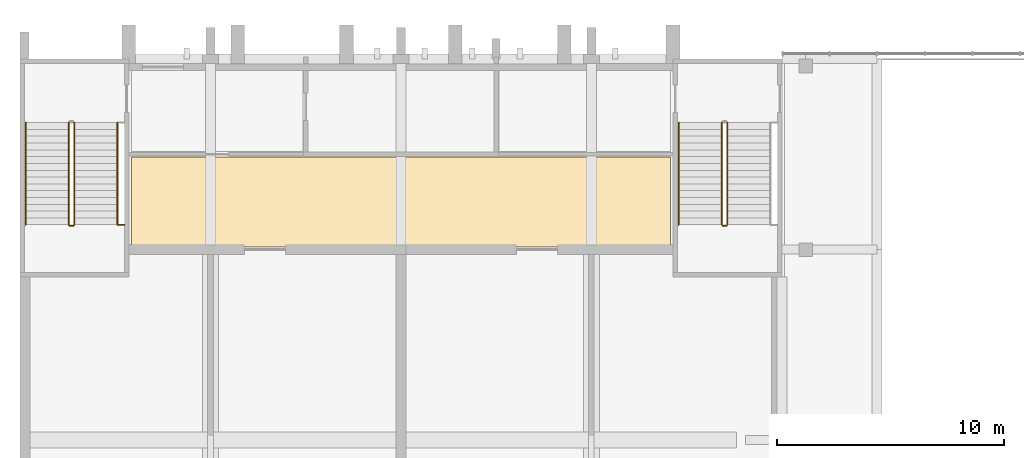
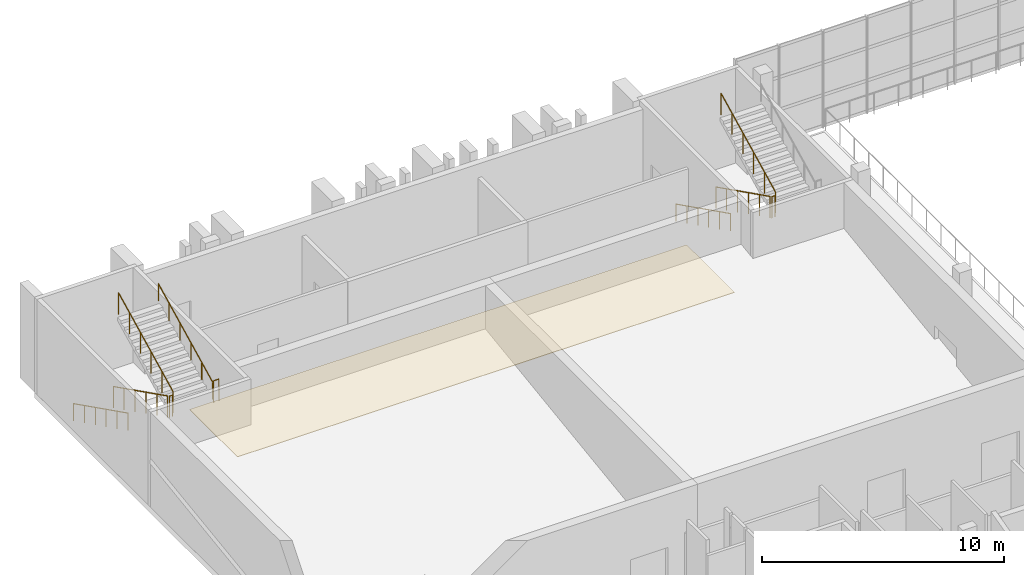
# One storey, part 63 of 67: 10 railings, 1 covering.
"""IFC4 building model written with IfcOpenShell, lengths in metres."""

from ifc_helpers import new_model, si_unit, direction, frame, origin, origin_2d, place, context, subcontext, project, spatial, polyline, circle, outline, extrude, material, layer, layer_set, type_object, element, save


model = new_model("IFC4")

# Units and contexts
model_context = context("Model", 3, precision=1e-05, world=origin(), true_north=direction((0.0, 1.0)))
body_context = subcontext(model_context, "Body", "Model", "MODEL_VIEW")
ifc_project = project(units=[si_unit("LENGTHUNIT", "METRE"), si_unit("AREAUNIT", "SQUARE_METRE"), si_unit("VOLUMEUNIT", "CUBIC_METRE"), si_unit("PLANEANGLEUNIT", "RADIAN"), si_unit("MASSUNIT", "GRAM", prefix="KILO")], contexts=[model_context])

# Site, building, storey
site_placement = place(None, origin())
site = spatial("IfcSite", under=ifc_project, at=site_placement, CompositionType="ELEMENT")
building_placement = place(site_placement, origin())
building = spatial("IfcBuilding", under=site, at=building_placement, Name="Kiln Court Media Centre", CompositionType="ELEMENT")
storey_placement = place(building_placement, frame((0.0, 0.0, 19.800048828125)))
storey = spatial("IfcBuildingStorey", under=building, at=storey_placement, Name="L04", CompositionType="ELEMENT", Elevation=19.800048828125)

# Covering
ifc_material_1 = material(Name="Terrazzo")
ifc_layer = layer(ifc_material_1, 0.02490234375)
ifc_layer_set = layer_set([ifc_layer], Name="Polished terrazzo floor finish 25")
covering_type = type_object("IfcCoveringType", Name="Polished terrazzo floor finish 25", PredefinedType="FLOORING", material=ifc_layer_set)
covering_placement = place(storey_placement, origin())
element("IfcCovering", 1, at=covering_placement, inside=storey, type_object=covering_type, Name="Rear Exit Lobby floor finish", PredefinedType="FLOORING", context=body_context, shape_type="SweptSolid", body=[
    extrude(outline(polyline([(4.919921875, 58.919921875), (28.679931640625, 58.919921875), (28.679931640625, 62.8798828125), (4.919921875, 62.8798828125), (4.919921875, 58.919921875)])), origin(), (0.0, 0.0, 1.0), 0.02490234375),
])

# Railings
ifc_material_2 = material(Name="Steel S275", Category="steel")
railing_type_1 = type_object("IfcRailingType", Name="Steel S275 stair guard 1100", PredefinedType="GUARDRAIL", material=ifc_material_2)
railing_1_placement = place(storey_placement, frame((2.14990234375, 64.39990234375, 0.14990234375)))
element("IfcRailing", 2, at=railing_1_placement, inside=storey, type_object=railing_type_1, Name="ST-07 stair guard", PredefinedType="GUARDRAIL", context=body_context, shape_type="SweptSolid", body=[
    extrude(circle(Radius=0.02392578125, at=origin_2d()), frame((0.0, 0.0, 1.076171875), z_axis=(0.0, -0.894427191, 0.4472135955), x_axis=(1.0, 0.0, 0.0)), (0.0, 0.0, 1.0), 5.03125),
    extrude(circle(Radius=0.02099609375, at=origin_2d()), origin(), (0.0, 0.0, 1.0), 1.052001953125),
    extrude(circle(Radius=0.02099609375, at=origin_2d()), frame((0.0, -0.89990234375, 0.449951171875)), (0.0, 0.0, 1.0), 1.052001953125),
    extrude(circle(Radius=0.02099609375, at=origin_2d()), frame((0.0, -1.800048828125, 0.89990234375)), (0.0, 0.0, 1.0), 1.052001953125),
    extrude(circle(Radius=0.02099609375, at=origin_2d()), frame((0.0, -2.699951171875, 1.35009765625)), (0.0, 0.0, 1.0), 1.052001953125),
    extrude(circle(Radius=0.02099609375, at=origin_2d()), frame((0.0, -3.60009765625, 1.800048828125)), (0.0, 0.0, 1.0), 1.052001953125),
    extrude(circle(Radius=0.02099609375, at=origin_2d()), frame((0.0, -4.5, 2.25)), (0.0, 0.0, 1.0), 1.052001953125),
])
railing_2_placement = place(storey_placement, frame((2.199951171875, 59.85009765625, 2.39990234375)))
element("IfcRailing", 3, at=railing_2_placement, inside=storey, type_object=railing_type_1, Name="ST-07 stair guard", PredefinedType="GUARDRAIL", context=body_context, shape_type="SweptSolid", body=[
    extrude(circle(Radius=0.02392578125, at=origin_2d()), frame((0.0, 0.0, 1.076171875), z_axis=(1.0, 0.0, 0.0), x_axis=(0.0, 1.0, 0.0)), (0.0, 0.0, 1.0), 0.150146484375),
    extrude(circle(Radius=0.02099609375, at=origin_2d()), origin(), (0.0, 0.0, 1.0), 1.052001953125),
    extrude(circle(Radius=0.02099609375, at=origin_2d()), frame((0.150146484375, 0.0, 0.0)), (0.0, 0.0, 1.0), 1.052001953125),
])
railing_3_placement = place(storey_placement, frame((2.39990234375, 59.89990234375, 2.550048828125)))
element("IfcRailing", 4, at=railing_3_placement, inside=storey, type_object=railing_type_1, Name="ST-07 stair guard", PredefinedType="GUARDRAIL", context=body_context, shape_type="SweptSolid", body=[
    extrude(circle(Radius=0.02392578125, at=origin_2d()), frame((0.0, 0.0, 1.076171875), z_axis=(0.0, 0.894427191, 0.4472135955), x_axis=(-1.0, 0.0, 0.0)), (0.0, 0.0, 1.0), 5.03125),
    extrude(circle(Radius=0.02099609375, at=origin_2d()), origin(), (0.0, 0.0, 1.0), 1.052001953125),
    extrude(circle(Radius=0.02099609375, at=origin_2d()), frame((0.0, 0.89990234375, 0.449951171875)), (0.0, 0.0, 1.0), 1.052001953125),
    extrude(circle(Radius=0.02099609375, at=origin_2d()), frame((0.0, 1.800048828125, 0.89990234375)), (0.0, 0.0, 1.0), 1.052001953125),
    extrude(circle(Radius=0.02099609375, at=origin_2d()), frame((0.0, 2.699951171875, 1.35009765625)), (0.0, 0.0, 1.0), 1.052001953125),
    extrude(circle(Radius=0.02099609375, at=origin_2d()), frame((0.0, 3.60009765625, 1.800048828125)), (0.0, 0.0, 1.0), 1.052001953125),
    extrude(circle(Radius=0.02099609375, at=origin_2d()), frame((0.0, 4.5, 2.25)), (0.0, 0.0, 1.0), 1.052001953125),
])
railing_4_placement = place(storey_placement, frame((4.35009765625, 59.89990234375, 2.39990234375)))
element("IfcRailing", 5, at=railing_4_placement, inside=storey, type_object=railing_type_1, Name="ST-07 landing edge guard", PredefinedType="GUARDRAIL", context=body_context, shape_type="SweptSolid", body=[
    extrude(circle(Radius=0.02392578125, at=origin_2d()), frame((0.0, 0.0, 1.076171875), z_axis=(1.0, 0.0, 0.0), x_axis=(0.0, 1.0, 0.0)), (0.0, 0.0, 1.0), 0.25),
    extrude(circle(Radius=0.02099609375, at=origin_2d()), origin(), (0.0, 0.0, 1.0), 1.052001953125),
    extrude(circle(Radius=0.02099609375, at=origin_2d()), frame((0.25, 0.0, 0.0)), (0.0, 0.0, 1.0), 1.052001953125),
])
railing_5_placement = place(storey_placement, frame((30.949951171875, 64.39990234375, 0.14990234375)))
element("IfcRailing", 6, at=railing_5_placement, inside=storey, type_object=railing_type_1, Name="ST-08 stair guard", PredefinedType="GUARDRAIL", context=body_context, shape_type="SweptSolid", body=[
    extrude(circle(Radius=0.02392578125, at=origin_2d()), frame((0.0, 0.0, 1.076171875), z_axis=(0.0, -0.894427191, 0.4472135955), x_axis=(1.0, 0.0, 0.0)), (0.0, 0.0, 1.0), 5.03125),
    extrude(circle(Radius=0.02099609375, at=origin_2d()), origin(), (0.0, 0.0, 1.0), 1.052001953125),
    extrude(circle(Radius=0.02099609375, at=origin_2d()), frame((0.0, -0.89990234375, 0.449951171875)), (0.0, 0.0, 1.0), 1.052001953125),
    extrude(circle(Radius=0.02099609375, at=origin_2d()), frame((0.0, -1.800048828125, 0.89990234375)), (0.0, 0.0, 1.0), 1.052001953125),
    extrude(circle(Radius=0.02099609375, at=origin_2d()), frame((0.0, -2.699951171875, 1.35009765625)), (0.0, 0.0, 1.0), 1.052001953125),
    extrude(circle(Radius=0.02099609375, at=origin_2d()), frame((0.0, -3.60009765625, 1.800048828125)), (0.0, 0.0, 1.0), 1.052001953125),
    extrude(circle(Radius=0.02099609375, at=origin_2d()), frame((0.0, -4.5, 2.25)), (0.0, 0.0, 1.0), 1.052001953125),
])
railing_6_placement = place(storey_placement, frame((31.0, 59.85009765625, 2.39990234375)))
element("IfcRailing", 7, at=railing_6_placement, inside=storey, type_object=railing_type_1, Name="ST-08 stair guard", PredefinedType="GUARDRAIL", context=body_context, shape_type="SweptSolid", body=[
    extrude(circle(Radius=0.02392578125, at=origin_2d()), frame((0.0, 0.0, 1.076171875), z_axis=(1.0, 0.0, 0.0), x_axis=(0.0, 1.0, 0.0)), (0.0, 0.0, 1.0), 0.14990234375),
    extrude(circle(Radius=0.02099609375, at=origin_2d()), origin(), (0.0, 0.0, 1.0), 1.052001953125),
    extrude(circle(Radius=0.02099609375, at=origin_2d()), frame((0.14990234375, 0.0, 0.0)), (0.0, 0.0, 1.0), 1.052001953125),
])
railing_7_placement = place(storey_placement, frame((31.199951171875, 59.89990234375, 2.550048828125)))
element("IfcRailing", 8, at=railing_7_placement, inside=storey, type_object=railing_type_1, Name="ST-08 stair guard", PredefinedType="GUARDRAIL", context=body_context, shape_type="SweptSolid", body=[
    extrude(circle(Radius=0.02392578125, at=origin_2d()), frame((0.0, 0.0, 1.076171875), z_axis=(0.0, 0.894427191, 0.4472135955), x_axis=(-1.0, 0.0, 0.0)), (0.0, 0.0, 1.0), 5.03125),
    extrude(circle(Radius=0.02099609375, at=origin_2d()), origin(), (0.0, 0.0, 1.0), 1.052001953125),
    extrude(circle(Radius=0.02099609375, at=origin_2d()), frame((0.0, 0.89990234375, 0.449951171875)), (0.0, 0.0, 1.0), 1.052001953125),
    extrude(circle(Radius=0.02099609375, at=origin_2d()), frame((0.0, 1.800048828125, 0.89990234375)), (0.0, 0.0, 1.0), 1.052001953125),
    extrude(circle(Radius=0.02099609375, at=origin_2d()), frame((0.0, 2.699951171875, 1.35009765625)), (0.0, 0.0, 1.0), 1.052001953125),
    extrude(circle(Radius=0.02099609375, at=origin_2d()), frame((0.0, 3.60009765625, 1.800048828125)), (0.0, 0.0, 1.0), 1.052001953125),
    extrude(circle(Radius=0.02099609375, at=origin_2d()), frame((0.0, 4.5, 2.25)), (0.0, 0.0, 1.0), 1.052001953125),
])
ifc_material_3 = material(Name="Steel S275", Category="steel")
railing_type_2 = type_object("IfcRailingType", Name="Steel S275 stair handrail 900", PredefinedType="HANDRAIL", material=ifc_material_3)
railing_8_placement = place(storey_placement, frame((0.25, 64.39990234375, 0.14990234375)))
element("IfcRailing", 9, at=railing_8_placement, inside=storey, type_object=railing_type_2, Name="ST-07 stair handrail", PredefinedType="HANDRAIL", context=body_context, shape_type="SweptSolid", body=[
    extrude(circle(Radius=0.02392578125, at=origin_2d()), frame((0.0, 0.0, 0.8759765625), z_axis=(0.0, -0.894427191, 0.4472135955), x_axis=(1.0, 0.0, 0.0)), (0.0, 0.0, 1.0), 5.03125),
    extrude(circle(Radius=0.02099609375, at=origin_2d()), origin(), (0.0, 0.0, 1.0), 0.851806640625),
    extrude(circle(Radius=0.02099609375, at=origin_2d()), frame((0.0, -0.89990234375, 0.449951171875)), (0.0, 0.0, 1.0), 0.851806640625),
    extrude(circle(Radius=0.02099609375, at=origin_2d()), frame((0.0, -1.800048828125, 0.89990234375)), (0.0, 0.0, 1.0), 0.851806640625),
    extrude(circle(Radius=0.02099609375, at=origin_2d()), frame((0.0, -2.699951171875, 1.35009765625)), (0.0, 0.0, 1.0), 0.851806640625),
    extrude(circle(Radius=0.02099609375, at=origin_2d()), frame((0.0, -3.60009765625, 1.800048828125)), (0.0, 0.0, 1.0), 0.851806640625),
    extrude(circle(Radius=0.02099609375, at=origin_2d()), frame((0.0, -4.5, 2.25)), (0.0, 0.0, 1.0), 0.851806640625),
])
railing_9_placement = place(storey_placement, frame((4.300048828125, 59.89990234375, 2.550048828125)))
element("IfcRailing", 10, at=railing_9_placement, inside=storey, type_object=railing_type_2, Name="ST-07 stair handrail", PredefinedType="HANDRAIL", context=body_context, shape_type="SweptSolid", body=[
    extrude(circle(Radius=0.02392578125, at=origin_2d()), frame((0.0, 0.0, 0.8759765625), z_axis=(0.0, 0.894427191, 0.4472135955), x_axis=(-1.0, 0.0, 0.0)), (0.0, 0.0, 1.0), 5.03125),
    extrude(circle(Radius=0.02099609375, at=origin_2d()), origin(), (0.0, 0.0, 1.0), 0.851806640625),
    extrude(circle(Radius=0.02099609375, at=origin_2d()), frame((0.0, 0.89990234375, 0.449951171875)), (0.0, 0.0, 1.0), 0.851806640625),
    extrude(circle(Radius=0.02099609375, at=origin_2d()), frame((0.0, 1.800048828125, 0.89990234375)), (0.0, 0.0, 1.0), 0.851806640625),
    extrude(circle(Radius=0.02099609375, at=origin_2d()), frame((0.0, 2.699951171875, 1.35009765625)), (0.0, 0.0, 1.0), 0.851806640625),
    extrude(circle(Radius=0.02099609375, at=origin_2d()), frame((0.0, 3.60009765625, 1.800048828125)), (0.0, 0.0, 1.0), 0.851806640625),
    extrude(circle(Radius=0.02099609375, at=origin_2d()), frame((0.0, 4.5, 2.25)), (0.0, 0.0, 1.0), 0.851806640625),
])
railing_10_placement = place(storey_placement, frame((29.050048828125, 64.39990234375, 0.14990234375)))
element("IfcRailing", 11, at=railing_10_placement, inside=storey, type_object=railing_type_2, Name="ST-08 stair handrail", PredefinedType="HANDRAIL", context=body_context, shape_type="SweptSolid", body=[
    extrude(circle(Radius=0.02392578125, at=origin_2d()), frame((0.0, 0.0, 0.8759765625), z_axis=(0.0, -0.894427191, 0.4472135955), x_axis=(1.0, 0.0, 0.0)), (0.0, 0.0, 1.0), 5.03125),
    extrude(circle(Radius=0.02099609375, at=origin_2d()), origin(), (0.0, 0.0, 1.0), 0.851806640625),
    extrude(circle(Radius=0.02099609375, at=origin_2d()), frame((0.0, -0.89990234375, 0.449951171875)), (0.0, 0.0, 1.0), 0.851806640625),
    extrude(circle(Radius=0.02099609375, at=origin_2d()), frame((0.0, -1.800048828125, 0.89990234375)), (0.0, 0.0, 1.0), 0.851806640625),
    extrude(circle(Radius=0.02099609375, at=origin_2d()), frame((0.0, -2.699951171875, 1.35009765625)), (0.0, 0.0, 1.0), 0.851806640625),
    extrude(circle(Radius=0.02099609375, at=origin_2d()), frame((0.0, -3.60009765625, 1.800048828125)), (0.0, 0.0, 1.0), 0.851806640625),
    extrude(circle(Radius=0.02099609375, at=origin_2d()), frame((0.0, -4.5, 2.25)), (0.0, 0.0, 1.0), 0.851806640625),
])

save(model, "model.ifc")
